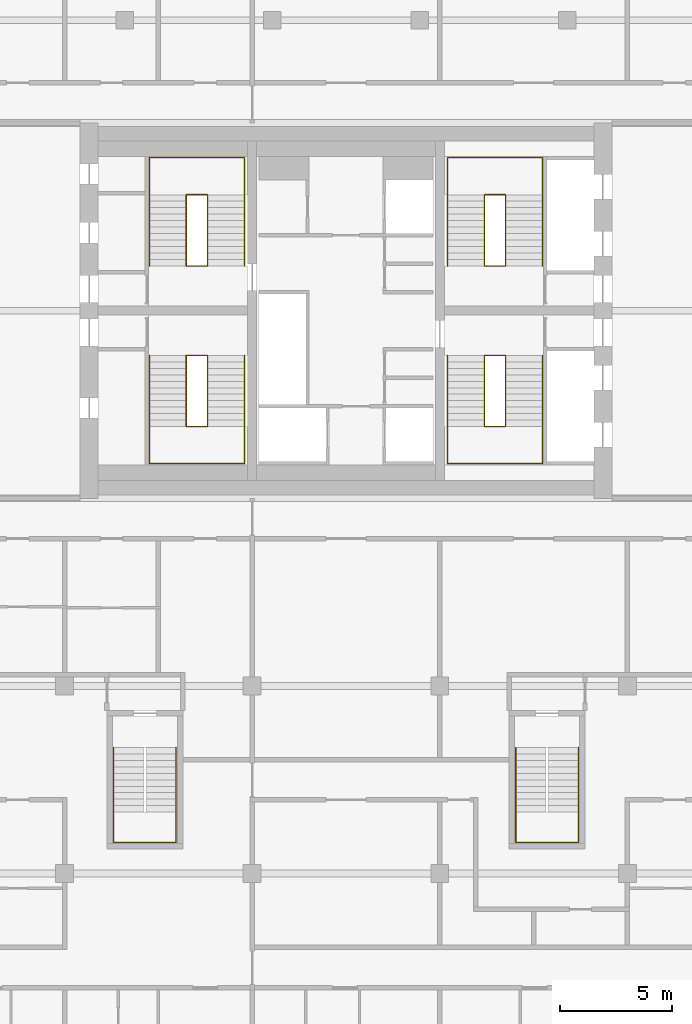
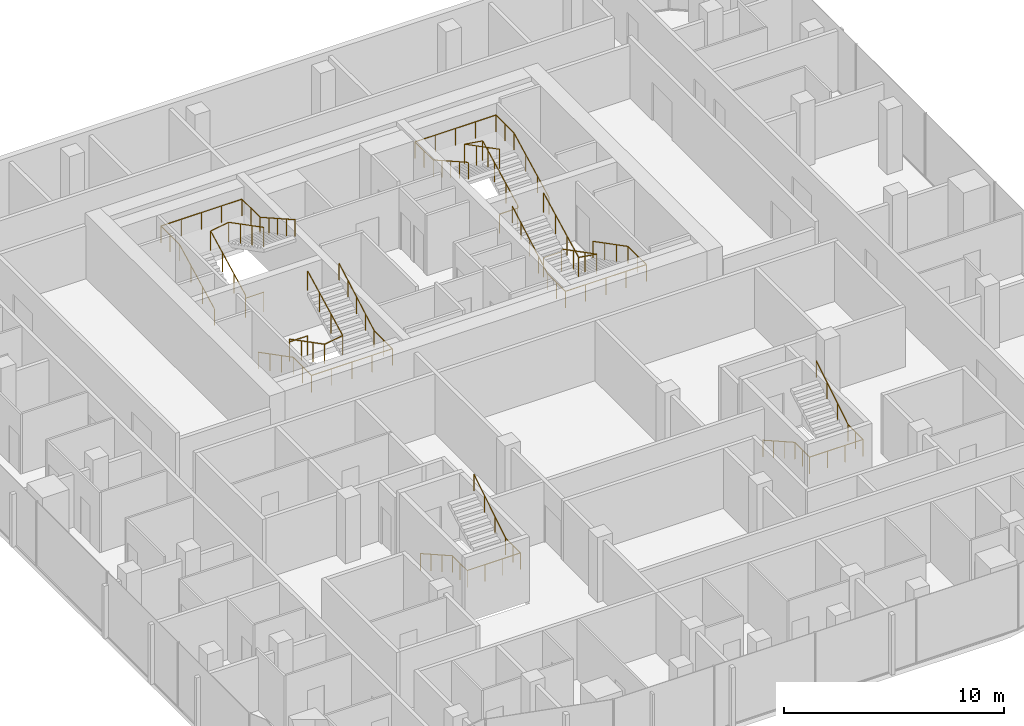
# One storey, part 21 of 21: 10 railings.
"""IFC4 building model written with IfcOpenShell, lengths in metres."""

import ifcopenshell
import ifcopenshell.guid

model = None  # the IFC model being written
_history = None  # IfcOwnerHistory: only IFC2X3 demands one
_inside = {}  # id of a spatial element -> (the spatial element, [elements in it])
_under = {}  # id of a project, library or spatial element -> (it, [spatial elements below it])
_declared = {}  # id of a project -> (the project, [libraries it declares])
_typed = {}  # id of a type object -> (the type object, [elements of that type])
_made_of = {}  # id of a material, layer set ... -> (it, [elements and type objects made of it])


def new_model(schema):
    """Start an empty IFC model of exactly this schema.

    Asked for "IFC4X3", IfcOpenShell would pick the latest addendum, in which some entities
    have other attributes; the version numbers below select the first issue.
    IFC2X3 requires an IfcOwnerHistory on every rooted entity: one is made here for all.
    """
    global model, _history
    if schema == "IFC4X3":
        model = ifcopenshell.file(schema_version=(4, 3, 0, 0))
    else:
        model = ifcopenshell.file(schema=schema)
    _inside.clear()
    _under.clear()
    _declared.clear()
    _typed.clear()
    _made_of.clear()
    _history = None
    if model.schema == "IFC2X3":
        org = make("IfcOrganization", Name="unknown")
        user = make(
            "IfcPersonAndOrganization",
            ThePerson=make("IfcPerson", FamilyName="unknown"),
            TheOrganization=org,
        )
        app = make(
            "IfcApplication",
            ApplicationDeveloper=org,
            Version="unknown",
            ApplicationFullName="unknown",
            ApplicationIdentifier="unknown",
        )
        _history = make(
            "IfcOwnerHistory",
            OwningUser=user,
            OwningApplication=app,
            ChangeAction="ADDED",
            CreationDate=0,
        )
    return model


def make(cls, **values):
    """One entity of the class cls with the attributes given. An attribute that is None is left unset."""
    return model.create_entity(
        cls, **{name: value for name, value in values.items() if value is not None}
    )


def rooted(cls, **values):
    """An entity with a GlobalId (a new one), such as an element, a storey or a relation."""
    return make(cls, GlobalId=ifcopenshell.guid.new(), OwnerHistory=_history, **values)


def si_unit(unit_type, name, prefix=None):
    """IfcSIUnit, for example si_unit("LENGTHUNIT", "METRE", prefix="MILLI")."""
    return make("IfcSIUnit", UnitType=unit_type, Prefix=prefix, Name=name)


def assignment(units):
    """IfcUnitAssignment: the units of a project."""
    return None if units is None else make("IfcUnitAssignment", Units=units)


def point(xyz):
    """IfcCartesianPoint."""
    return None if xyz is None else make("IfcCartesianPoint", Coordinates=xyz)


def direction(xyz):
    """IfcDirection."""
    return None if xyz is None else make("IfcDirection", DirectionRatios=xyz)


def frame(location, z_axis=None, x_axis=None):
    """IfcAxis2Placement3D, a coordinate frame: its origin and axes. An axis left out is left unset."""
    return make(
        "IfcAxis2Placement3D",
        Location=point(location),
        Axis=direction(z_axis),
        RefDirection=direction(x_axis),
    )


def frame_2d(location, x_axis=None):
    """IfcAxis2Placement2D, a coordinate frame in the plane: its origin and x axis."""
    return make(
        "IfcAxis2Placement2D", Location=point(location), RefDirection=direction(x_axis)
    )


def origin():
    """The frame at (0, 0, 0) with its axes left unset."""
    return frame((0.0, 0.0, 0.0))


def origin_2d():
    """The frame at (0, 0) in the plane with its x axis left unset."""
    return frame_2d((0.0, 0.0))


def place(relative_to, where):
    """IfcLocalPlacement: puts the frame where relative to a parent placement (None: the world)."""
    return make(
        "IfcLocalPlacement", PlacementRelTo=relative_to, RelativePlacement=where
    )


def context(
    kind, dimensions, precision=None, world=None, true_north=None, identifier=None
):
    """IfcGeometricRepresentationContext, for example the 3D "Model" context."""
    return make(
        "IfcGeometricRepresentationContext",
        ContextIdentifier=identifier,
        ContextType=kind,
        CoordinateSpaceDimension=dimensions,
        Precision=precision,
        WorldCoordinateSystem=world,
        TrueNorth=true_north,
    )


def subcontext(parent, identifier, kind, view, scale=None):
    """IfcGeometricRepresentationSubContext, for example "Body" below "Model"."""
    return make(
        "IfcGeometricRepresentationSubContext",
        ContextIdentifier=identifier,
        ContextType=kind,
        ParentContext=parent,
        TargetScale=scale,
        TargetView=view,
    )


def project(units=None, contexts=None):
    """IfcProject with its units and contexts."""
    return rooted(
        "IfcProject",
        Name="project",
        RepresentationContexts=contexts,
        UnitsInContext=assignment(units),
    )


def spatial(cls, under=None, at=None, **own):
    """A site, building, storey or space (cls), placed at a placement, below another one or the project."""
    s = rooted(cls, ObjectPlacement=at, **own)
    if under is not None:
        _under.setdefault(under.id(), (under, []))[1].append(s)
    return s


def profile(cls, at=None, kind="AREA", **sizes):
    """A parametric profile (cls). Its sizes go by their IFC names, for example OverallWidth=200.0."""
    return make(cls, ProfileType=kind, Position=at, **sizes)


def circle(**sizes):
    """IfcCircleProfileDef."""
    return profile("IfcCircleProfileDef", **sizes)


def extrude(swept, where, along, depth):
    """IfcExtrudedAreaSolid: the profile swept, set in the frame where, extruded along a direction by depth."""
    return make(
        "IfcExtrudedAreaSolid",
        SweptArea=swept,
        Position=where,
        ExtrudedDirection=direction(along),
        Depth=depth,
    )


def shape(context_of_items, identifier, shape_type, items):
    """IfcShapeRepresentation: the items that make up one representation, for example the "Body"."""
    return make(
        "IfcShapeRepresentation",
        ContextOfItems=context_of_items,
        RepresentationIdentifier=identifier,
        RepresentationType=shape_type,
        Items=items,
    )


def material(Name=None, Category=None):
    """IfcMaterial."""
    return make("IfcMaterial", Name=Name, Category=Category)


def made_of(thing, what):
    """Note that an element or type object is made of a material, layer set ...; save() writes the relation."""
    if what is not None:
        _made_of.setdefault(what.id(), (what, []))[1].append(thing)
    return thing


def type_object(cls, material=None, **own):
    """A type object (cls), such as IfcWallType, which elements share."""
    return made_of(rooted(cls, **own), material)


def element(
    cls,
    number,
    at=None,
    inside=None,
    cuts=None,
    type_object=None,
    material=None,
    context=None,
    identifier="Body",
    shape_type=None,
    held_by="IfcProductDefinitionShape",
    body=None,
    shapes=None,
    **own,
):
    """One element of the class cls, such as IfcWall. Its Tag is "e" and its number.

    at: its placement. inside: the storey or other place that contains it. cuts: it is an
    opening in that element (IfcRelVoidsElement). A single representation is given by context,
    identifier, shape_type and body (its items); several are given by shapes. held_by: the class
    of the entity that holds the representations. save() writes the other relations.
    """
    e = rooted(cls, Tag="e%d" % number, ObjectPlacement=at, **own)
    if body is not None:
        shapes = [shape(context, identifier, shape_type, body)]
    if shapes is not None:
        e.Representation = make(held_by, Representations=shapes)
    if inside is not None:
        _inside.setdefault(inside.id(), (inside, []))[1].append(e)
    if cuts is not None:
        rooted(
            "IfcRelVoidsElement", RelatingBuildingElement=cuts, RelatedOpeningElement=e
        )
    if type_object is not None:
        _typed.setdefault(type_object.id(), (type_object, []))[1].append(e)
    return made_of(e, material)


def aggregate(whole, parts):
    """IfcRelAggregates: a whole, such as a stair, and the parts it consists of."""
    return rooted("IfcRelAggregates", RelatingObject=whole, RelatedObjects=parts)


def save(model, path):
    """Write the relations noted so far, then the file.

    IfcRelAggregates (storeys below a building ...), IfcRelContainedInSpatialStructure (elements
    in a storey), IfcRelDefinesByType, IfcRelAssociatesMaterial and IfcRelDeclares: one each for
    every whole, place, type object, material and project.
    """
    for whole, parts in _under.values():
        aggregate(whole, parts)
    for where, things in _inside.values():
        rooted(
            "IfcRelContainedInSpatialStructure",
            RelatedElements=things,
            RelatingStructure=where,
        )
    for kind, things in _typed.values():
        rooted("IfcRelDefinesByType", RelatedObjects=things, RelatingType=kind)
    for what, things in _made_of.values():
        rooted("IfcRelAssociatesMaterial", RelatedObjects=things, RelatingMaterial=what)
    for by, libraries in _declared.values():
        rooted("IfcRelDeclares", RelatingContext=by, RelatedDefinitions=libraries)
    model.write(path)


model = new_model("IFC4")

# Units and contexts
model_context = context("Model", 3, precision=1e-05, world=origin(), true_north=direction((0.0, 1.0)))
body_context = subcontext(model_context, "Body", "Model", "MODEL_VIEW")
ifc_project = project(units=[si_unit("LENGTHUNIT", "METRE"), si_unit("AREAUNIT", "SQUARE_METRE"), si_unit("VOLUMEUNIT", "CUBIC_METRE"), si_unit("PLANEANGLEUNIT", "RADIAN"), si_unit("MASSUNIT", "GRAM", prefix="KILO")], contexts=[model_context])

# Site, building, storey
site_placement = place(None, origin())
site = spatial("IfcSite", under=ifc_project, at=site_placement, CompositionType="ELEMENT")
building_placement = place(site_placement, origin())
building = spatial("IfcBuilding", under=site, at=building_placement, Name="Marenta Gate Hotel Tower", CompositionType="ELEMENT")
storey_placement = place(building_placement, frame((0.0, 0.0, 202.10009765625)))
storey = spatial("IfcBuildingStorey", under=building, at=storey_placement, Name="L46", CompositionType="ELEMENT", Elevation=202.10009765625)

# Railings
ifc_material_1 = material(Name="Stainless steel", Category="steel")
railing_type_1 = type_object("IfcRailingType", Name="Core stair handrail 950", PredefinedType="HANDRAIL", material=ifc_material_1)
railing_1_placement = place(storey_placement, frame((-8.800048828125, 6.39990234375, 0.14990234375)))
element("IfcRailing", 1, at=railing_1_placement, inside=storey, type_object=railing_type_1, Name="HR-950 L46-KR-ST1-1", PredefinedType="HANDRAIL", context=body_context, shape_type="SweptSolid", body=[
    extrude(circle(Radius=0.02392578125, at=origin_2d()), frame((0.0, 0.0, 0.92578125), z_axis=(0.0, -0.888225295554, 0.459408123936), x_axis=(1.0, 0.0, 0.0)), (0.0, 0.0, 1.0), 3.59130859375),
    extrude(circle(Radius=0.02392578125, at=origin_2d()), frame((0.0, -3.18994140625, 2.57568359375), z_axis=(0.0, -1.0, 0.0), x_axis=(1.0, 0.0, 0.0)), (0.0, 0.0, 1.0), 1.659912109375),
    extrude(circle(Radius=0.02392578125, at=origin_2d()), frame((0.0, -4.849853515625, 2.57568359375), z_axis=(1.0, 0.0, 0.0), x_axis=(0.0, 1.0, 0.0)), (0.0, 0.0, 1.0), 4.25),
    extrude(circle(Radius=0.02392578125, at=origin_2d()), frame((4.25, -4.849853515625, 2.57568359375), z_axis=(0.0, 1.0, 0.0), x_axis=(-1.0, 0.0, 0.0)), (0.0, 0.0, 1.0), 1.659912109375),
    extrude(circle(Radius=0.02392578125, at=origin_2d()), frame((4.25, -3.18994140625, 2.57568359375), z_axis=(0.0, 0.87090897868, 0.491444351738), x_axis=(-1.0, 0.0, 0.0)), (0.0, 0.0, 1.0), 3.662841796875),
    extrude(circle(Radius=0.02099609375, at=origin_2d()), origin(), (0.0, 0.0, 1.0), 0.90185546875),
    extrude(circle(Radius=0.02099609375, at=origin_2d()), frame((0.0, -1.063232421875, 0.550048828125)), (0.0, 0.0, 1.0), 0.90185546875),
    extrude(circle(Radius=0.02099609375, at=origin_2d()), frame((0.0, -2.126708984375, 1.099853515625)), (0.0, 0.0, 1.0), 0.90185546875),
    extrude(circle(Radius=0.02099609375, at=origin_2d()), frame((0.0, -3.18994140625, 1.64990234375)), (0.0, 0.0, 1.0), 0.90185546875),
    extrude(circle(Radius=0.02099609375, at=origin_2d()), frame((0.0, -4.02001953125, 1.64990234375)), (0.0, 0.0, 1.0), 0.90185546875),
    extrude(circle(Radius=0.02099609375, at=origin_2d()), frame((0.0, -4.849853515625, 1.64990234375)), (0.0, 0.0, 1.0), 0.90185546875),
    extrude(circle(Radius=0.02099609375, at=origin_2d()), frame((1.0625, -4.849853515625, 1.64990234375)), (0.0, 0.0, 1.0), 0.90185546875),
    extrude(circle(Radius=0.02099609375, at=origin_2d()), frame((2.125, -4.849853515625, 1.64990234375)), (0.0, 0.0, 1.0), 0.90185546875),
    extrude(circle(Radius=0.02099609375, at=origin_2d()), frame((3.1875, -4.849853515625, 1.64990234375)), (0.0, 0.0, 1.0), 0.90185546875),
    extrude(circle(Radius=0.02099609375, at=origin_2d()), frame((4.25, -4.849853515625, 1.64990234375)), (0.0, 0.0, 1.0), 0.90185546875),
    extrude(circle(Radius=0.02099609375, at=origin_2d()), frame((4.25, -4.02001953125, 1.64990234375)), (0.0, 0.0, 1.0), 0.90185546875),
    extrude(circle(Radius=0.02099609375, at=origin_2d()), frame((4.25, -3.18994140625, 1.64990234375)), (0.0, 0.0, 1.0), 0.90185546875),
    extrude(circle(Radius=0.02099609375, at=origin_2d()), frame((4.25, -2.392578125, 2.099853515625)), (0.0, 0.0, 1.0), 0.90185546875),
    extrude(circle(Radius=0.02099609375, at=origin_2d()), frame((4.25, -1.594970703125, 2.5498046875)), (0.0, 0.0, 1.0), 0.90185546875),
    extrude(circle(Radius=0.02099609375, at=origin_2d()), frame((4.25, -0.79736328125, 3.0)), (0.0, 0.0, 1.0), 0.90185546875),
    extrude(circle(Radius=0.02099609375, at=origin_2d()), frame((4.25, 0.0, 3.449951171875)), (0.0, 0.0, 1.0), 0.90185546875),
])
railing_2_placement = place(storey_placement, frame((-8.800048828125, 10.39990234375, 0.14990234375)))
element("IfcRailing", 2, at=railing_2_placement, inside=storey, type_object=railing_type_1, Name="HR-950 L46-KR-ST2-1", PredefinedType="HANDRAIL", context=body_context, shape_type="SweptSolid", body=[
    extrude(circle(Radius=0.02392578125, at=origin_2d()), frame((0.0, 0.0, 0.92578125), z_axis=(0.0, 0.888239641807, 0.459380385653), x_axis=(-1.0, 0.0, 0.0)), (0.0, 0.0, 1.0), 3.591552734375),
    extrude(circle(Radius=0.02392578125, at=origin_2d()), frame((0.0, 3.190185546875, 2.57568359375), z_axis=(0.0, 1.0, 0.0), x_axis=(-1.0, 0.0, 0.0)), (0.0, 0.0, 1.0), 1.659912109375),
    extrude(circle(Radius=0.02392578125, at=origin_2d()), frame((0.0, 4.85009765625, 2.57568359375), z_axis=(1.0, 0.0, 0.0), x_axis=(0.0, 1.0, 0.0)), (0.0, 0.0, 1.0), 4.25),
    extrude(circle(Radius=0.02392578125, at=origin_2d()), frame((4.25, 4.85009765625, 2.57568359375), z_axis=(0.0, -1.0, 0.0), x_axis=(1.0, 0.0, 0.0)), (0.0, 0.0, 1.0), 1.659912109375),
    extrude(circle(Radius=0.02392578125, at=origin_2d()), frame((4.25, 3.190185546875, 2.57568359375), z_axis=(0.0, -0.870925075533, 0.491415824742), x_axis=(1.0, 0.0, 0.0)), (0.0, 0.0, 1.0), 3.6630859375),
    extrude(circle(Radius=0.02099609375, at=origin_2d()), origin(), (0.0, 0.0, 1.0), 0.90185546875),
    extrude(circle(Radius=0.02099609375, at=origin_2d()), frame((0.0, 1.0634765625, 0.550048828125)), (0.0, 0.0, 1.0), 0.90185546875),
    extrude(circle(Radius=0.02099609375, at=origin_2d()), frame((0.0, 2.126708984375, 1.099853515625)), (0.0, 0.0, 1.0), 0.90185546875),
    extrude(circle(Radius=0.02099609375, at=origin_2d()), frame((0.0, 3.190185546875, 1.64990234375)), (0.0, 0.0, 1.0), 0.90185546875),
    extrude(circle(Radius=0.02099609375, at=origin_2d()), frame((0.0, 4.02001953125, 1.64990234375)), (0.0, 0.0, 1.0), 0.90185546875),
    extrude(circle(Radius=0.02099609375, at=origin_2d()), frame((0.0, 4.85009765625, 1.64990234375)), (0.0, 0.0, 1.0), 0.90185546875),
    extrude(circle(Radius=0.02099609375, at=origin_2d()), frame((1.0625, 4.85009765625, 1.64990234375)), (0.0, 0.0, 1.0), 0.90185546875),
    extrude(circle(Radius=0.02099609375, at=origin_2d()), frame((2.125, 4.85009765625, 1.64990234375)), (0.0, 0.0, 1.0), 0.90185546875),
    extrude(circle(Radius=0.02099609375, at=origin_2d()), frame((3.1875, 4.85009765625, 1.64990234375)), (0.0, 0.0, 1.0), 0.90185546875),
    extrude(circle(Radius=0.02099609375, at=origin_2d()), frame((4.25, 4.85009765625, 1.64990234375)), (0.0, 0.0, 1.0), 0.90185546875),
    extrude(circle(Radius=0.02099609375, at=origin_2d()), frame((4.25, 4.02001953125, 1.64990234375)), (0.0, 0.0, 1.0), 0.90185546875),
    extrude(circle(Radius=0.02099609375, at=origin_2d()), frame((4.25, 3.190185546875, 1.64990234375)), (0.0, 0.0, 1.0), 0.90185546875),
    extrude(circle(Radius=0.02099609375, at=origin_2d()), frame((4.25, 2.392578125, 2.099853515625)), (0.0, 0.0, 1.0), 0.90185546875),
    extrude(circle(Radius=0.02099609375, at=origin_2d()), frame((4.25, 1.59521484375, 2.5498046875)), (0.0, 0.0, 1.0), 0.90185546875),
    extrude(circle(Radius=0.02099609375, at=origin_2d()), frame((4.25, 0.797607421875, 3.0)), (0.0, 0.0, 1.0), 0.90185546875),
    extrude(circle(Radius=0.02099609375, at=origin_2d()), frame((4.25, 0.0, 3.449951171875)), (0.0, 0.0, 1.0), 0.90185546875),
])
railing_3_placement = place(storey_placement, frame((8.800048828125, 6.39990234375, 0.14990234375)))
element("IfcRailing", 3, at=railing_3_placement, inside=storey, type_object=railing_type_1, Name="HR-950 L46-KR-ST3-1", PredefinedType="HANDRAIL", context=body_context, shape_type="SweptSolid", body=[
    extrude(circle(Radius=0.02392578125, at=origin_2d()), frame((0.0, 0.0, 0.92578125), z_axis=(0.0, -0.888225295554, 0.459408123936), x_axis=(1.0, 0.0, 0.0)), (0.0, 0.0, 1.0), 3.59130859375),
    extrude(circle(Radius=0.02392578125, at=origin_2d()), frame((0.0, -3.18994140625, 2.57568359375), z_axis=(0.0, -1.0, 0.0), x_axis=(1.0, 0.0, 0.0)), (0.0, 0.0, 1.0), 1.659912109375),
    extrude(circle(Radius=0.02392578125, at=origin_2d()), frame((0.0, -4.849853515625, 2.57568359375), z_axis=(-1.0, 0.0, 0.0), x_axis=(0.0, -1.0, 0.0)), (0.0, 0.0, 1.0), 4.25),
    extrude(circle(Radius=0.02392578125, at=origin_2d()), frame((-4.25, -4.849853515625, 2.57568359375), z_axis=(0.0, 1.0, 0.0), x_axis=(-1.0, 0.0, 0.0)), (0.0, 0.0, 1.0), 1.659912109375),
    extrude(circle(Radius=0.02392578125, at=origin_2d()), frame((-4.25, -3.18994140625, 2.57568359375), z_axis=(0.0, 0.87090897868, 0.491444351738), x_axis=(-1.0, 0.0, 0.0)), (0.0, 0.0, 1.0), 3.662841796875),
    extrude(circle(Radius=0.02099609375, at=origin_2d()), origin(), (0.0, 0.0, 1.0), 0.90185546875),
    extrude(circle(Radius=0.02099609375, at=origin_2d()), frame((0.0, -1.063232421875, 0.550048828125)), (0.0, 0.0, 1.0), 0.90185546875),
    extrude(circle(Radius=0.02099609375, at=origin_2d()), frame((0.0, -2.126708984375, 1.099853515625)), (0.0, 0.0, 1.0), 0.90185546875),
    extrude(circle(Radius=0.02099609375, at=origin_2d()), frame((0.0, -3.18994140625, 1.64990234375)), (0.0, 0.0, 1.0), 0.90185546875),
    extrude(circle(Radius=0.02099609375, at=origin_2d()), frame((0.0, -4.02001953125, 1.64990234375)), (0.0, 0.0, 1.0), 0.90185546875),
    extrude(circle(Radius=0.02099609375, at=origin_2d()), frame((0.0, -4.849853515625, 1.64990234375)), (0.0, 0.0, 1.0), 0.90185546875),
    extrude(circle(Radius=0.02099609375, at=origin_2d()), frame((-1.0625, -4.849853515625, 1.64990234375)), (0.0, 0.0, 1.0), 0.90185546875),
    extrude(circle(Radius=0.02099609375, at=origin_2d()), frame((-2.125, -4.849853515625, 1.64990234375)), (0.0, 0.0, 1.0), 0.90185546875),
    extrude(circle(Radius=0.02099609375, at=origin_2d()), frame((-3.1875, -4.849853515625, 1.64990234375)), (0.0, 0.0, 1.0), 0.90185546875),
    extrude(circle(Radius=0.02099609375, at=origin_2d()), frame((-4.25, -4.849853515625, 1.64990234375)), (0.0, 0.0, 1.0), 0.90185546875),
    extrude(circle(Radius=0.02099609375, at=origin_2d()), frame((-4.25, -4.02001953125, 1.64990234375)), (0.0, 0.0, 1.0), 0.90185546875),
    extrude(circle(Radius=0.02099609375, at=origin_2d()), frame((-4.25, -3.18994140625, 1.64990234375)), (0.0, 0.0, 1.0), 0.90185546875),
    extrude(circle(Radius=0.02099609375, at=origin_2d()), frame((-4.25, -2.392578125, 2.099853515625)), (0.0, 0.0, 1.0), 0.90185546875),
    extrude(circle(Radius=0.02099609375, at=origin_2d()), frame((-4.25, -1.594970703125, 2.5498046875)), (0.0, 0.0, 1.0), 0.90185546875),
    extrude(circle(Radius=0.02099609375, at=origin_2d()), frame((-4.25, -0.79736328125, 3.0)), (0.0, 0.0, 1.0), 0.90185546875),
    extrude(circle(Radius=0.02099609375, at=origin_2d()), frame((-4.25, 0.0, 3.449951171875)), (0.0, 0.0, 1.0), 0.90185546875),
])
railing_4_placement = place(storey_placement, frame((8.800048828125, 10.39990234375, 0.14990234375)))
element("IfcRailing", 4, at=railing_4_placement, inside=storey, type_object=railing_type_1, Name="HR-950 L46-KR-ST4-1", PredefinedType="HANDRAIL", context=body_context, shape_type="SweptSolid", body=[
    extrude(circle(Radius=0.02392578125, at=origin_2d()), frame((0.0, 0.0, 0.92578125), z_axis=(0.0, 0.888239641807, 0.459380385653), x_axis=(-1.0, 0.0, 0.0)), (0.0, 0.0, 1.0), 3.591552734375),
    extrude(circle(Radius=0.02392578125, at=origin_2d()), frame((0.0, 3.190185546875, 2.57568359375), z_axis=(0.0, 1.0, 0.0), x_axis=(-1.0, 0.0, 0.0)), (0.0, 0.0, 1.0), 1.659912109375),
    extrude(circle(Radius=0.02392578125, at=origin_2d()), frame((0.0, 4.85009765625, 2.57568359375), z_axis=(-1.0, 0.0, 0.0), x_axis=(0.0, -1.0, 0.0)), (0.0, 0.0, 1.0), 4.25),
    extrude(circle(Radius=0.02392578125, at=origin_2d()), frame((-4.25, 4.85009765625, 2.57568359375), z_axis=(0.0, -1.0, 0.0), x_axis=(1.0, 0.0, 0.0)), (0.0, 0.0, 1.0), 1.659912109375),
    extrude(circle(Radius=0.02392578125, at=origin_2d()), frame((-4.25, 3.190185546875, 2.57568359375), z_axis=(0.0, -0.870925075533, 0.491415824742), x_axis=(1.0, 0.0, 0.0)), (0.0, 0.0, 1.0), 3.6630859375),
    extrude(circle(Radius=0.02099609375, at=origin_2d()), origin(), (0.0, 0.0, 1.0), 0.90185546875),
    extrude(circle(Radius=0.02099609375, at=origin_2d()), frame((0.0, 1.0634765625, 0.550048828125)), (0.0, 0.0, 1.0), 0.90185546875),
    extrude(circle(Radius=0.02099609375, at=origin_2d()), frame((0.0, 2.126708984375, 1.099853515625)), (0.0, 0.0, 1.0), 0.90185546875),
    extrude(circle(Radius=0.02099609375, at=origin_2d()), frame((0.0, 3.190185546875, 1.64990234375)), (0.0, 0.0, 1.0), 0.90185546875),
    extrude(circle(Radius=0.02099609375, at=origin_2d()), frame((0.0, 4.02001953125, 1.64990234375)), (0.0, 0.0, 1.0), 0.90185546875),
    extrude(circle(Radius=0.02099609375, at=origin_2d()), frame((0.0, 4.85009765625, 1.64990234375)), (0.0, 0.0, 1.0), 0.90185546875),
    extrude(circle(Radius=0.02099609375, at=origin_2d()), frame((-1.0625, 4.85009765625, 1.64990234375)), (0.0, 0.0, 1.0), 0.90185546875),
    extrude(circle(Radius=0.02099609375, at=origin_2d()), frame((-2.125, 4.85009765625, 1.64990234375)), (0.0, 0.0, 1.0), 0.90185546875),
    extrude(circle(Radius=0.02099609375, at=origin_2d()), frame((-3.1875, 4.85009765625, 1.64990234375)), (0.0, 0.0, 1.0), 0.90185546875),
    extrude(circle(Radius=0.02099609375, at=origin_2d()), frame((-4.25, 4.85009765625, 1.64990234375)), (0.0, 0.0, 1.0), 0.90185546875),
    extrude(circle(Radius=0.02099609375, at=origin_2d()), frame((-4.25, 4.02001953125, 1.64990234375)), (0.0, 0.0, 1.0), 0.90185546875),
    extrude(circle(Radius=0.02099609375, at=origin_2d()), frame((-4.25, 3.190185546875, 1.64990234375)), (0.0, 0.0, 1.0), 0.90185546875),
    extrude(circle(Radius=0.02099609375, at=origin_2d()), frame((-4.25, 2.392578125, 2.099853515625)), (0.0, 0.0, 1.0), 0.90185546875),
    extrude(circle(Radius=0.02099609375, at=origin_2d()), frame((-4.25, 1.59521484375, 2.5498046875)), (0.0, 0.0, 1.0), 0.90185546875),
    extrude(circle(Radius=0.02099609375, at=origin_2d()), frame((-4.25, 0.797607421875, 3.0)), (0.0, 0.0, 1.0), 0.90185546875),
    extrude(circle(Radius=0.02099609375, at=origin_2d()), frame((-4.25, 0.0, 3.449951171875)), (0.0, 0.0, 1.0), 0.90185546875),
])
railing_5_placement = place(storey_placement, frame((-10.39990234375, -11.14990234375, 0.16357421875)))
element("IfcRailing", 5, at=railing_5_placement, inside=storey, type_object=railing_type_1, Name="HR-950 L46-RS-Z3-1-KR-1", PredefinedType="HANDRAIL", context=body_context, shape_type="SweptSolid", body=[
    extrude(circle(Radius=0.02392578125, at=origin_2d()), frame((0.0, 0.0, 0.92578125), z_axis=(0.0, -0.870946286338, 0.49137823142), x_axis=(1.0, 0.0, 0.0)), (0.0, 0.0, 1.0), 3.329833984375),
    extrude(circle(Radius=0.02392578125, at=origin_2d()), frame((0.0, -2.900146484375, 2.56201171875), z_axis=(0.0, -1.0, 0.0), x_axis=(1.0, 0.0, 0.0)), (0.0, 0.0, 1.0), 1.349853515625),
    extrude(circle(Radius=0.02392578125, at=origin_2d()), frame((0.0, -4.25, 2.56201171875), z_axis=(1.0, 0.0, 0.0), x_axis=(0.0, 1.0, 0.0)), (0.0, 0.0, 1.0), 2.7998046875),
    extrude(circle(Radius=0.02392578125, at=origin_2d()), frame((2.7998046875, -4.25, 2.56201171875), z_axis=(0.0, 1.0, 0.0), x_axis=(-1.0, 0.0, 0.0)), (0.0, 0.0, 1.0), 1.349853515625),
    extrude(circle(Radius=0.02392578125, at=origin_2d()), frame((2.7998046875, -2.900146484375, 2.56201171875), z_axis=(0.0, 0.849645691689, 0.527353959494), x_axis=(-1.0, 0.0, 0.0)), (0.0, 0.0, 1.0), 3.413330078125),
    extrude(circle(Radius=0.02099609375, at=origin_2d()), origin(), (0.0, 0.0, 1.0), 0.90185546875),
    extrude(circle(Radius=0.02099609375, at=origin_2d()), frame((0.0, -0.966796875, 0.54541015625)), (0.0, 0.0, 1.0), 0.90185546875),
    extrude(circle(Radius=0.02099609375, at=origin_2d()), frame((0.0, -1.933349609375, 1.0908203125)), (0.0, 0.0, 1.0), 0.90185546875),
    extrude(circle(Radius=0.02099609375, at=origin_2d()), frame((0.0, -2.900146484375, 1.63623046875)), (0.0, 0.0, 1.0), 0.90185546875),
    extrude(circle(Radius=0.02099609375, at=origin_2d()), frame((0.0, -3.5751953125, 1.63623046875)), (0.0, 0.0, 1.0), 0.90185546875),
    extrude(circle(Radius=0.02099609375, at=origin_2d()), frame((0.0, -4.25, 1.63623046875)), (0.0, 0.0, 1.0), 0.90185546875),
    extrude(circle(Radius=0.02099609375, at=origin_2d()), frame((0.933349609375, -4.25, 1.63623046875)), (0.0, 0.0, 1.0), 0.90185546875),
    extrude(circle(Radius=0.02099609375, at=origin_2d()), frame((1.866455078125, -4.25, 1.63623046875)), (0.0, 0.0, 1.0), 0.90185546875),
    extrude(circle(Radius=0.02099609375, at=origin_2d()), frame((2.7998046875, -4.25, 1.63623046875)), (0.0, 0.0, 1.0), 0.90185546875),
    extrude(circle(Radius=0.02099609375, at=origin_2d()), frame((2.7998046875, -3.5751953125, 1.63623046875)), (0.0, 0.0, 1.0), 0.90185546875),
    extrude(circle(Radius=0.02099609375, at=origin_2d()), frame((2.7998046875, -2.900146484375, 1.63623046875)), (0.0, 0.0, 1.0), 0.90185546875),
    extrude(circle(Radius=0.02099609375, at=origin_2d()), frame((2.7998046875, -1.933349609375, 2.236328125)), (0.0, 0.0, 1.0), 0.90185546875),
    extrude(circle(Radius=0.02099609375, at=origin_2d()), frame((2.7998046875, -0.966796875, 2.836181640625)), (0.0, 0.0, 1.0), 0.90185546875),
    extrude(circle(Radius=0.02099609375, at=origin_2d()), frame((2.7998046875, 0.0, 3.436279296875)), (0.0, 0.0, 1.0), 0.90185546875),
])
railing_6_placement = place(storey_placement, frame((7.60009765625, -11.14990234375, 0.16357421875)))
element("IfcRailing", 6, at=railing_6_placement, inside=storey, type_object=railing_type_1, Name="HR-950 L46-RS-Z3-2-KR-1", PredefinedType="HANDRAIL", context=body_context, shape_type="SweptSolid", body=[
    extrude(circle(Radius=0.02392578125, at=origin_2d()), frame((0.0, 0.0, 0.92578125), z_axis=(0.0, -0.870946286338, 0.49137823142), x_axis=(1.0, 0.0, 0.0)), (0.0, 0.0, 1.0), 3.329833984375),
    extrude(circle(Radius=0.02392578125, at=origin_2d()), frame((0.0, -2.900146484375, 2.56201171875), z_axis=(0.0, -1.0, 0.0), x_axis=(1.0, 0.0, 0.0)), (0.0, 0.0, 1.0), 1.349853515625),
    extrude(circle(Radius=0.02392578125, at=origin_2d()), frame((0.0, -4.25, 2.56201171875), z_axis=(1.0, 0.0, 0.0), x_axis=(0.0, 1.0, 0.0)), (0.0, 0.0, 1.0), 2.7998046875),
    extrude(circle(Radius=0.02392578125, at=origin_2d()), frame((2.7998046875, -4.25, 2.56201171875), z_axis=(0.0, 1.0, 0.0), x_axis=(-1.0, 0.0, 0.0)), (0.0, 0.0, 1.0), 1.349853515625),
    extrude(circle(Radius=0.02392578125, at=origin_2d()), frame((2.7998046875, -2.900146484375, 2.56201171875), z_axis=(0.0, 0.849645691689, 0.527353959494), x_axis=(-1.0, 0.0, 0.0)), (0.0, 0.0, 1.0), 3.413330078125),
    extrude(circle(Radius=0.02099609375, at=origin_2d()), origin(), (0.0, 0.0, 1.0), 0.90185546875),
    extrude(circle(Radius=0.02099609375, at=origin_2d()), frame((0.0, -0.966796875, 0.54541015625)), (0.0, 0.0, 1.0), 0.90185546875),
    extrude(circle(Radius=0.02099609375, at=origin_2d()), frame((0.0, -1.933349609375, 1.0908203125)), (0.0, 0.0, 1.0), 0.90185546875),
    extrude(circle(Radius=0.02099609375, at=origin_2d()), frame((0.0, -2.900146484375, 1.63623046875)), (0.0, 0.0, 1.0), 0.90185546875),
    extrude(circle(Radius=0.02099609375, at=origin_2d()), frame((0.0, -3.5751953125, 1.63623046875)), (0.0, 0.0, 1.0), 0.90185546875),
    extrude(circle(Radius=0.02099609375, at=origin_2d()), frame((0.0, -4.25, 1.63623046875)), (0.0, 0.0, 1.0), 0.90185546875),
    extrude(circle(Radius=0.02099609375, at=origin_2d()), frame((0.933349609375, -4.25, 1.63623046875)), (0.0, 0.0, 1.0), 0.90185546875),
    extrude(circle(Radius=0.02099609375, at=origin_2d()), frame((1.866455078125, -4.25, 1.63623046875)), (0.0, 0.0, 1.0), 0.90185546875),
    extrude(circle(Radius=0.02099609375, at=origin_2d()), frame((2.7998046875, -4.25, 1.63623046875)), (0.0, 0.0, 1.0), 0.90185546875),
    extrude(circle(Radius=0.02099609375, at=origin_2d()), frame((2.7998046875, -3.5751953125, 1.63623046875)), (0.0, 0.0, 1.0), 0.90185546875),
    extrude(circle(Radius=0.02099609375, at=origin_2d()), frame((2.7998046875, -2.900146484375, 1.63623046875)), (0.0, 0.0, 1.0), 0.90185546875),
    extrude(circle(Radius=0.02099609375, at=origin_2d()), frame((2.7998046875, -1.933349609375, 2.236328125)), (0.0, 0.0, 1.0), 0.90185546875),
    extrude(circle(Radius=0.02099609375, at=origin_2d()), frame((2.7998046875, -0.966796875, 2.836181640625)), (0.0, 0.0, 1.0), 0.90185546875),
    extrude(circle(Radius=0.02099609375, at=origin_2d()), frame((2.7998046875, 0.0, 3.436279296875)), (0.0, 0.0, 1.0), 0.90185546875),
])
ifc_material_2 = material(Name="Stainless steel", Category="steel")
railing_type_2 = type_object("IfcRailingType", Name="Core stair well guard 1100", PredefinedType="GUARDRAIL", material=ifc_material_2)
railing_7_placement = place(storey_placement, frame((-6.199951171875, 6.39990234375, 0.0)))
element("IfcRailing", 7, at=railing_7_placement, inside=storey, type_object=railing_type_2, Name="GR-1100 L46-KR-ST1-2", PredefinedType="GUARDRAIL", context=body_context, shape_type="SweptSolid", body=[
    extrude(circle(Radius=0.02392578125, at=origin_2d()), frame((0.0, 0.0, 1.076171875), z_axis=(-1.0, 0.0, 0.0), x_axis=(0.0, -1.0, 0.0)), (0.0, 0.0, 1.0), 0.949951171875),
    extrude(circle(Radius=0.02392578125, at=origin_2d()), frame((-0.949951171875, 0.0, 1.076171875), z_axis=(0.0, 0.0, 1.0), x_axis=(1.0, 0.0, 0.0)), (0.0, 0.0, 1.0), 0.14990234375),
    extrude(circle(Radius=0.02392578125, at=origin_2d()), frame((-0.949951171875, 0.0, 1.22607421875), z_axis=(0.0, -0.888225295554, 0.459408123936), x_axis=(1.0, 0.0, 0.0)), (0.0, 0.0, 1.0), 3.59130859375),
    extrude(circle(Radius=0.02392578125, at=origin_2d()), frame((-0.949951171875, -3.18994140625, 2.8759765625), z_axis=(0.987738253826, 0.0, 0.156118999255), x_axis=(0.0, 1.0, 0.0)), (0.0, 0.0, 1.0), 0.961669921875),
    extrude(circle(Radius=0.02392578125, at=origin_2d()), frame((0.0, -3.18994140625, 3.02587890625), z_axis=(0.0, 0.888225295554, 0.459408123936), x_axis=(-1.0, 0.0, 0.0)), (0.0, 0.0, 1.0), 3.59130859375),
    extrude(circle(Radius=0.02099609375, at=origin_2d()), origin(), (0.0, 0.0, 1.0), 1.052001953125),
    extrude(circle(Radius=0.02099609375, at=origin_2d()), frame((-0.949951171875, 0.0, 0.0)), (0.0, 0.0, 1.0), 1.052001953125),
    extrude(circle(Radius=0.02099609375, at=origin_2d()), frame((-0.949951171875, 0.0, 0.14990234375)), (0.0, 0.0, 1.0), 1.052001953125),
    extrude(circle(Radius=0.02099609375, at=origin_2d()), frame((-0.949951171875, -1.063232421875, 0.699951171875)), (0.0, 0.0, 1.0), 1.052001953125),
    extrude(circle(Radius=0.02099609375, at=origin_2d()), frame((-0.949951171875, -2.126708984375, 1.249755859375)), (0.0, 0.0, 1.0), 1.052001953125),
    extrude(circle(Radius=0.02099609375, at=origin_2d()), frame((-0.949951171875, -3.18994140625, 1.7998046875)), (0.0, 0.0, 1.0), 1.052001953125),
    extrude(circle(Radius=0.02099609375, at=origin_2d()), frame((0.0, -3.18994140625, 1.949951171875)), (0.0, 0.0, 1.0), 1.052001953125),
    extrude(circle(Radius=0.02099609375, at=origin_2d()), frame((0.0, -2.126708984375, 2.5)), (0.0, 0.0, 1.0), 1.052001953125),
    extrude(circle(Radius=0.02099609375, at=origin_2d()), frame((0.0, -1.063232421875, 3.0498046875)), (0.0, 0.0, 1.0), 1.052001953125),
    extrude(circle(Radius=0.02099609375, at=origin_2d()), frame((0.0, 0.0, 3.599853515625)), (0.0, 0.0, 1.0), 1.052001953125),
])
railing_8_placement = place(storey_placement, frame((-6.199951171875, 10.39990234375, 0.0)))
element("IfcRailing", 8, at=railing_8_placement, inside=storey, type_object=railing_type_2, Name="GR-1100 L46-KR-ST2-2", PredefinedType="GUARDRAIL", context=body_context, shape_type="SweptSolid", body=[
    extrude(circle(Radius=0.02392578125, at=origin_2d()), frame((0.0, 0.0, 1.076171875), z_axis=(-1.0, 0.0, 0.0), x_axis=(0.0, -1.0, 0.0)), (0.0, 0.0, 1.0), 0.949951171875),
    extrude(circle(Radius=0.02392578125, at=origin_2d()), frame((-0.949951171875, 0.0, 1.076171875), z_axis=(0.0, 0.0, 1.0), x_axis=(1.0, 0.0, 0.0)), (0.0, 0.0, 1.0), 0.14990234375),
    extrude(circle(Radius=0.02392578125, at=origin_2d()), frame((-0.949951171875, 0.0, 1.22607421875), z_axis=(0.0, 0.888239641807, 0.459380385653), x_axis=(-1.0, 0.0, 0.0)), (0.0, 0.0, 1.0), 3.591552734375),
    extrude(circle(Radius=0.02392578125, at=origin_2d()), frame((-0.949951171875, 3.190185546875, 2.8759765625), z_axis=(0.987738253826, 0.0, 0.156118999255), x_axis=(0.0, 1.0, 0.0)), (0.0, 0.0, 1.0), 0.961669921875),
    extrude(circle(Radius=0.02392578125, at=origin_2d()), frame((0.0, 3.190185546875, 3.02587890625), z_axis=(0.0, -0.888239641807, 0.459380385653), x_axis=(1.0, 0.0, 0.0)), (0.0, 0.0, 1.0), 3.591552734375),
    extrude(circle(Radius=0.02099609375, at=origin_2d()), origin(), (0.0, 0.0, 1.0), 1.052001953125),
    extrude(circle(Radius=0.02099609375, at=origin_2d()), frame((-0.949951171875, 0.0, 0.0)), (0.0, 0.0, 1.0), 1.052001953125),
    extrude(circle(Radius=0.02099609375, at=origin_2d()), frame((-0.949951171875, 0.0, 0.14990234375)), (0.0, 0.0, 1.0), 1.052001953125),
    extrude(circle(Radius=0.02099609375, at=origin_2d()), frame((-0.949951171875, 1.0634765625, 0.699951171875)), (0.0, 0.0, 1.0), 1.052001953125),
    extrude(circle(Radius=0.02099609375, at=origin_2d()), frame((-0.949951171875, 2.126708984375, 1.249755859375)), (0.0, 0.0, 1.0), 1.052001953125),
    extrude(circle(Radius=0.02099609375, at=origin_2d()), frame((-0.949951171875, 3.190185546875, 1.7998046875)), (0.0, 0.0, 1.0), 1.052001953125),
    extrude(circle(Radius=0.02099609375, at=origin_2d()), frame((0.0, 3.190185546875, 1.949951171875)), (0.0, 0.0, 1.0), 1.052001953125),
    extrude(circle(Radius=0.02099609375, at=origin_2d()), frame((0.0, 2.126708984375, 2.5)), (0.0, 0.0, 1.0), 1.052001953125),
    extrude(circle(Radius=0.02099609375, at=origin_2d()), frame((0.0, 1.0634765625, 3.0498046875)), (0.0, 0.0, 1.0), 1.052001953125),
    extrude(circle(Radius=0.02099609375, at=origin_2d()), frame((0.0, 0.0, 3.599853515625)), (0.0, 0.0, 1.0), 1.052001953125),
])
railing_9_placement = place(storey_placement, frame((6.199951171875, 6.39990234375, 0.0)))
element("IfcRailing", 9, at=railing_9_placement, inside=storey, type_object=railing_type_2, Name="GR-1100 L46-KR-ST3-2", PredefinedType="GUARDRAIL", context=body_context, shape_type="SweptSolid", body=[
    extrude(circle(Radius=0.02392578125, at=origin_2d()), frame((0.0, 0.0, 1.076171875), z_axis=(1.0, 0.0, 0.0), x_axis=(0.0, 1.0, 0.0)), (0.0, 0.0, 1.0), 0.949951171875),
    extrude(circle(Radius=0.02392578125, at=origin_2d()), frame((0.949951171875, 0.0, 1.076171875), z_axis=(0.0, 0.0, 1.0), x_axis=(1.0, 0.0, 0.0)), (0.0, 0.0, 1.0), 0.14990234375),
    extrude(circle(Radius=0.02392578125, at=origin_2d()), frame((0.949951171875, 0.0, 1.22607421875), z_axis=(0.0, -0.888225295554, 0.459408123936), x_axis=(1.0, 0.0, 0.0)), (0.0, 0.0, 1.0), 3.59130859375),
    extrude(circle(Radius=0.02392578125, at=origin_2d()), frame((0.949951171875, -3.18994140625, 2.8759765625), z_axis=(-0.987738253826, 0.0, 0.156118999255), x_axis=(0.0, -1.0, 0.0)), (0.0, 0.0, 1.0), 0.961669921875),
    extrude(circle(Radius=0.02392578125, at=origin_2d()), frame((0.0, -3.18994140625, 3.02587890625), z_axis=(0.0, 0.888225295554, 0.459408123936), x_axis=(-1.0, 0.0, 0.0)), (0.0, 0.0, 1.0), 3.59130859375),
    extrude(circle(Radius=0.02099609375, at=origin_2d()), origin(), (0.0, 0.0, 1.0), 1.052001953125),
    extrude(circle(Radius=0.02099609375, at=origin_2d()), frame((0.949951171875, 0.0, 0.0)), (0.0, 0.0, 1.0), 1.052001953125),
    extrude(circle(Radius=0.02099609375, at=origin_2d()), frame((0.949951171875, 0.0, 0.14990234375)), (0.0, 0.0, 1.0), 1.052001953125),
    extrude(circle(Radius=0.02099609375, at=origin_2d()), frame((0.949951171875, -1.063232421875, 0.699951171875)), (0.0, 0.0, 1.0), 1.052001953125),
    extrude(circle(Radius=0.02099609375, at=origin_2d()), frame((0.949951171875, -2.126708984375, 1.249755859375)), (0.0, 0.0, 1.0), 1.052001953125),
    extrude(circle(Radius=0.02099609375, at=origin_2d()), frame((0.949951171875, -3.18994140625, 1.7998046875)), (0.0, 0.0, 1.0), 1.052001953125),
    extrude(circle(Radius=0.02099609375, at=origin_2d()), frame((0.0, -3.18994140625, 1.949951171875)), (0.0, 0.0, 1.0), 1.052001953125),
    extrude(circle(Radius=0.02099609375, at=origin_2d()), frame((0.0, -2.126708984375, 2.5)), (0.0, 0.0, 1.0), 1.052001953125),
    extrude(circle(Radius=0.02099609375, at=origin_2d()), frame((0.0, -1.063232421875, 3.0498046875)), (0.0, 0.0, 1.0), 1.052001953125),
    extrude(circle(Radius=0.02099609375, at=origin_2d()), frame((0.0, 0.0, 3.599853515625)), (0.0, 0.0, 1.0), 1.052001953125),
])
railing_10_placement = place(storey_placement, frame((6.199951171875, 10.39990234375, 0.0)))
element("IfcRailing", 10, at=railing_10_placement, inside=storey, type_object=railing_type_2, Name="GR-1100 L46-KR-ST4-2", PredefinedType="GUARDRAIL", context=body_context, shape_type="SweptSolid", body=[
    extrude(circle(Radius=0.02392578125, at=origin_2d()), frame((0.0, 0.0, 1.076171875), z_axis=(1.0, 0.0, 0.0), x_axis=(0.0, 1.0, 0.0)), (0.0, 0.0, 1.0), 0.949951171875),
    extrude(circle(Radius=0.02392578125, at=origin_2d()), frame((0.949951171875, 0.0, 1.076171875), z_axis=(0.0, 0.0, 1.0), x_axis=(1.0, 0.0, 0.0)), (0.0, 0.0, 1.0), 0.14990234375),
    extrude(circle(Radius=0.02392578125, at=origin_2d()), frame((0.949951171875, 0.0, 1.22607421875), z_axis=(0.0, 0.888239641807, 0.459380385653), x_axis=(-1.0, 0.0, 0.0)), (0.0, 0.0, 1.0), 3.591552734375),
    extrude(circle(Radius=0.02392578125, at=origin_2d()), frame((0.949951171875, 3.190185546875, 2.8759765625), z_axis=(-0.987738253826, 0.0, 0.156118999255), x_axis=(0.0, -1.0, 0.0)), (0.0, 0.0, 1.0), 0.961669921875),
    extrude(circle(Radius=0.02392578125, at=origin_2d()), frame((0.0, 3.190185546875, 3.02587890625), z_axis=(0.0, -0.888239641807, 0.459380385653), x_axis=(1.0, 0.0, 0.0)), (0.0, 0.0, 1.0), 3.591552734375),
    extrude(circle(Radius=0.02099609375, at=origin_2d()), origin(), (0.0, 0.0, 1.0), 1.052001953125),
    extrude(circle(Radius=0.02099609375, at=origin_2d()), frame((0.949951171875, 0.0, 0.0)), (0.0, 0.0, 1.0), 1.052001953125),
    extrude(circle(Radius=0.02099609375, at=origin_2d()), frame((0.949951171875, 0.0, 0.14990234375)), (0.0, 0.0, 1.0), 1.052001953125),
    extrude(circle(Radius=0.02099609375, at=origin_2d()), frame((0.949951171875, 1.0634765625, 0.699951171875)), (0.0, 0.0, 1.0), 1.052001953125),
    extrude(circle(Radius=0.02099609375, at=origin_2d()), frame((0.949951171875, 2.126708984375, 1.249755859375)), (0.0, 0.0, 1.0), 1.052001953125),
    extrude(circle(Radius=0.02099609375, at=origin_2d()), frame((0.949951171875, 3.190185546875, 1.7998046875)), (0.0, 0.0, 1.0), 1.052001953125),
    extrude(circle(Radius=0.02099609375, at=origin_2d()), frame((0.0, 3.190185546875, 1.949951171875)), (0.0, 0.0, 1.0), 1.052001953125),
    extrude(circle(Radius=0.02099609375, at=origin_2d()), frame((0.0, 2.126708984375, 2.5)), (0.0, 0.0, 1.0), 1.052001953125),
    extrude(circle(Radius=0.02099609375, at=origin_2d()), frame((0.0, 1.0634765625, 3.0498046875)), (0.0, 0.0, 1.0), 1.052001953125),
    extrude(circle(Radius=0.02099609375, at=origin_2d()), frame((0.0, 0.0, 3.599853515625)), (0.0, 0.0, 1.0), 1.052001953125),
])

save(model, "model.ifc")
